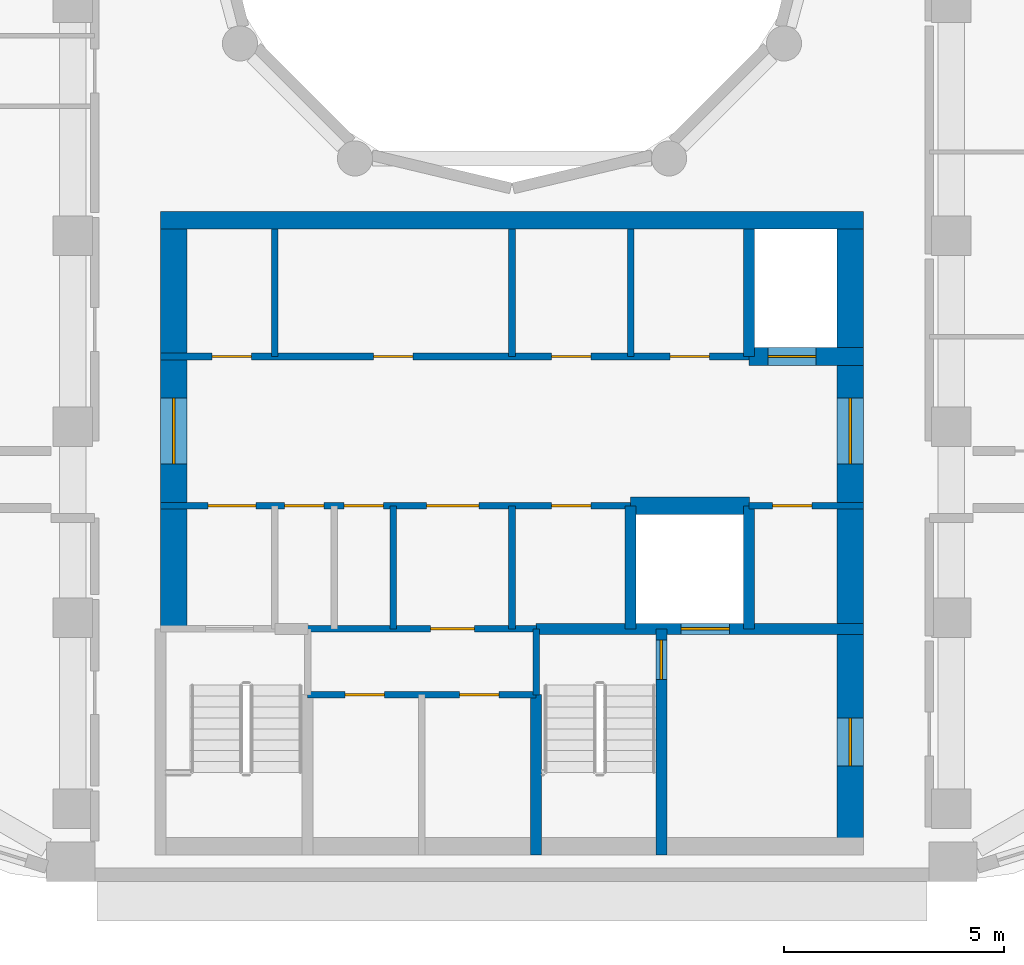
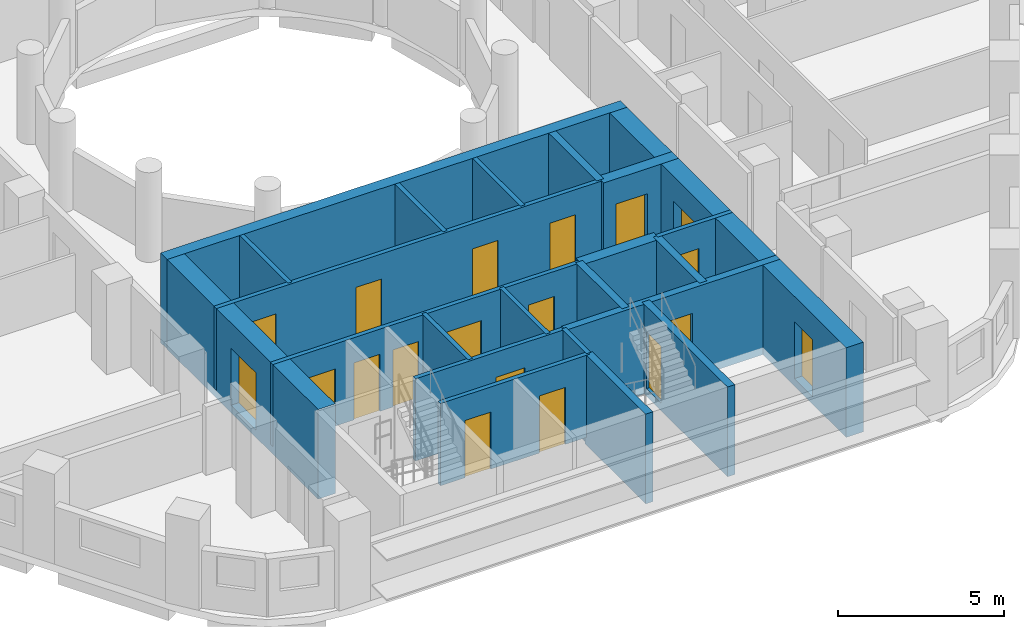
# One storey, part 3 of 13: 22 walls, 19 doors, 19 openings.
"""IFC4 building model written with IfcOpenShell, lengths in metres."""

from ifc_helpers import new_model, si_unit, direction, frame, frame_2d, origin, place, context, subcontext, project, spatial, rectangle, extrude, material, layer, layer_set, type_object, element, fill, save


model = new_model("IFC4")

# Units and contexts
model_context = context("Model", 3, precision=1e-05, world=origin(), true_north=direction((0.0, 1.0)))
body_context = subcontext(model_context, "Body", "Model", "MODEL_VIEW")
ifc_project = project(units=[si_unit("LENGTHUNIT", "METRE"), si_unit("AREAUNIT", "SQUARE_METRE"), si_unit("VOLUMEUNIT", "CUBIC_METRE"), si_unit("PLANEANGLEUNIT", "RADIAN"), si_unit("MASSUNIT", "GRAM", prefix="KILO")], contexts=[model_context])

# Site, building, storey
site_placement = place(None, origin())
site = spatial("IfcSite", under=ifc_project, at=site_placement, CompositionType="ELEMENT")
building_placement = place(site_placement, origin())
building = spatial("IfcBuilding", under=site, at=building_placement, Name="Nakaniwa Court", CompositionType="ELEMENT")
storey_placement = place(building_placement, frame((0.0, 0.0, 269.10009765625)))
storey = spatial("IfcBuildingStorey", under=building, at=storey_placement, Name="L71", CompositionType="ELEMENT", Elevation=269.10009765625)

# Wall
ifc_material_1 = material(Name="Blockwork partition", Category="masonry")
ifc_layer_1 = layer(ifc_material_1, 0.14990234375)
ifc_layer_set_1 = layer_set([ifc_layer_1], Name="Blockwork partition")
wall_type_1 = type_object("IfcWallType", Name="Blockwork partition 150", PredefinedType="PARTITIONING", material=ifc_layer_set_1)
wall_1_placement = place(storey_placement, frame((74.60009765625, 69.300048828125, 0.0), z_axis=(0.0, 0.0, 1.0), x_axis=(0.0, 1.0, 0.0)))
element("IfcWall", 1, at=wall_1_placement, inside=storey, type_object=wall_type_1, Name="Partition PW-031", PredefinedType="PARTITIONING", context=body_context, shape_type="SweptSolid", body=[
    extrude(rectangle(XDim=2.89990234375, YDim=0.14990234375, at=frame_2d((1.449951171875, 0.0))), origin(), (0.0, 0.0, 1.0), 3.02490234375),
])

# Wall, openings, doors
wall_2_placement = place(storey_placement, frame((72.0, 69.300048828125, 0.0), z_axis=(0.0, 0.0, 1.0), x_axis=(1.0, 0.0, 0.0)))
wall_2 = element("IfcWall", 2, at=wall_2_placement, inside=storey, type_object=wall_type_1, Name="Partition PW-032", PredefinedType="PARTITIONING", context=body_context, shape_type="SweptSolid", body=[
    extrude(rectangle(XDim=13.39990234375, YDim=0.14990234375, at=frame_2d((6.699951171875, 0.0))), origin(), (0.0, 0.0, 1.0), 3.02490234375),
])
opening_1_placement = place(wall_2_placement, frame((1.175048828125, 0.0, 0.0)))
opening_1 = element("IfcOpeningElement", 3, at=opening_1_placement, cuts=wall_2, Name="Opening D-05-11", PredefinedType="OPENING", context=body_context, shape_type="SweptSolid", body=[
    extrude(rectangle(XDim=0.89990234375, YDim=2.10009765625, at=frame_2d((0.449951171875, 1.050048828125))), frame((0.0, 0.0849609375, 0.0), z_axis=(0.0, -1.0, 0.0), x_axis=(1.0, 0.0, 0.0)), (0.0, 0.0, 1.0), 0.169921875),
])
opening_2_placement = place(wall_2_placement, frame((4.85009765625, 0.0, 0.0)))
opening_2 = element("IfcOpeningElement", 4, at=opening_2_placement, cuts=wall_2, Name="Opening D-05-12", PredefinedType="OPENING", context=body_context, shape_type="SweptSolid", body=[
    extrude(rectangle(XDim=0.89990234375, YDim=2.10009765625, at=frame_2d((0.449951171875, 1.050048828125))), frame((0.0, 0.0849609375, 0.0), z_axis=(0.0, -1.0, 0.0), x_axis=(1.0, 0.0, 0.0)), (0.0, 0.0, 1.0), 0.169921875),
])
opening_3_placement = place(wall_2_placement, frame((8.89990234375, 0.0, 0.0)))
opening_3 = element("IfcOpeningElement", 5, at=opening_3_placement, cuts=wall_2, Name="Opening D-05-13", PredefinedType="OPENING", context=body_context, shape_type="SweptSolid", body=[
    extrude(rectangle(XDim=0.89990234375, YDim=2.10009765625, at=frame_2d((0.449951171875, 1.050048828125))), frame((0.0, 0.0849609375, 0.0), z_axis=(0.0, -1.0, 0.0), x_axis=(1.0, 0.0, 0.0)), (0.0, 0.0, 1.0), 0.169921875),
])
opening_4_placement = place(wall_2_placement, frame((11.60009765625, 0.0, 0.0)))
opening_4 = element("IfcOpeningElement", 6, at=opening_4_placement, cuts=wall_2, Name="Opening D-05-14", PredefinedType="OPENING", context=body_context, shape_type="SweptSolid", body=[
    extrude(rectangle(XDim=0.89990234375, YDim=2.10009765625, at=frame_2d((0.449951171875, 1.050048828125))), frame((0.0, 0.0849609375, 0.0), z_axis=(0.0, -1.0, 0.0), x_axis=(1.0, 0.0, 0.0)), (0.0, 0.0, 1.0), 0.169921875),
])
ifc_material_2 = material(Name="Fire rated steel door set", Category="steel")
door_type_1 = type_object("IfcDoorType", Name="Service room door 900", OperationType="NOTDEFINED", PredefinedType="DOOR", material=ifc_material_2)
door_1_placement = place(opening_1_placement, origin())
door_1 = element("IfcDoor", 7, at=door_1_placement, inside=storey, type_object=door_type_1, Name="Door D-05-11 L71-016", OperationType="SINGLE_SWING_LEFT", OverallHeight=2.10009765625, OverallWidth=0.89990234375, PredefinedType="DOOR", context=body_context, shape_type="SweptSolid", body=[
    extrude(rectangle(XDim=0.89990234375, YDim=2.10009765625, at=frame_2d((0.449951171875, 1.050048828125))), frame((0.0, 0.02490234375, 0.0), z_axis=(0.0, -1.0, 0.0), x_axis=(1.0, 0.0, 0.0)), (0.0, 0.0, 1.0), 0.050048828125),
])
fill(opening_1, door_1)
door_2_placement = place(opening_2_placement, origin())
door_2 = element("IfcDoor", 8, at=door_2_placement, inside=storey, type_object=door_type_1, Name="Door D-05-12 L71-017", OperationType="SINGLE_SWING_RIGHT", OverallHeight=2.10009765625, OverallWidth=0.89990234375, PredefinedType="DOOR", context=body_context, shape_type="SweptSolid", body=[
    extrude(rectangle(XDim=0.89990234375, YDim=2.10009765625, at=frame_2d((0.449951171875, 1.050048828125))), frame((0.0, 0.02490234375, 0.0), z_axis=(0.0, -1.0, 0.0), x_axis=(1.0, 0.0, 0.0)), (0.0, 0.0, 1.0), 0.050048828125),
])
fill(opening_2, door_2)
door_3_placement = place(opening_3_placement, origin())
door_3 = element("IfcDoor", 9, at=door_3_placement, inside=storey, type_object=door_type_1, Name="Door D-05-13 L71-018", OperationType="SINGLE_SWING_LEFT", OverallHeight=2.10009765625, OverallWidth=0.89990234375, PredefinedType="DOOR", context=body_context, shape_type="SweptSolid", body=[
    extrude(rectangle(XDim=0.89990234375, YDim=2.10009765625, at=frame_2d((0.449951171875, 1.050048828125))), frame((0.0, 0.02490234375, 0.0), z_axis=(0.0, -1.0, 0.0), x_axis=(1.0, 0.0, 0.0)), (0.0, 0.0, 1.0), 0.050048828125),
])
fill(opening_3, door_3)
door_4_placement = place(opening_4_placement, origin())
door_4 = element("IfcDoor", 10, at=door_4_placement, inside=storey, type_object=door_type_1, Name="Door D-05-14 L71-019", OperationType="SINGLE_SWING_RIGHT", OverallHeight=2.10009765625, OverallWidth=0.89990234375, PredefinedType="DOOR", context=body_context, shape_type="SweptSolid", body=[
    extrude(rectangle(XDim=0.89990234375, YDim=2.10009765625, at=frame_2d((0.449951171875, 1.050048828125))), frame((0.0, 0.02490234375, 0.0), z_axis=(0.0, -1.0, 0.0), x_axis=(1.0, 0.0, 0.0)), (0.0, 0.0, 1.0), 0.050048828125),
])
fill(opening_4, door_4)

# Walls
wall_3_placement = place(storey_placement, frame((80.0, 63.10009765625, 0.0), z_axis=(0.0, 0.0, 1.0), x_axis=(0.0, 1.0, 0.0)))
element("IfcWall", 11, at=wall_3_placement, inside=storey, type_object=wall_type_1, Name="Partition PW-038", PredefinedType="PARTITIONING", context=body_context, shape_type="SweptSolid", body=[
    extrude(rectangle(XDim=2.7998046875, YDim=0.14990234375, at=frame_2d((1.39990234375, 0.0))), origin(), (0.0, 0.0, 1.0), 3.02490234375),
])
for number, where, z_axis, x_axis, name in (
    (12, (80.0, 69.300048828125, 0.0), (0.0, 0.0, 1.0), (0.0, 1.0, 0.0), "Partition PW-039"),
    (13, (82.699951171875, 69.300048828125, 0.0), (0.0, 0.0, 1.0), (0.0, 1.0, 0.0), "Partition PW-040"),
):
    element("IfcWall", number, at=place(storey_placement, frame(where, z_axis=z_axis, x_axis=x_axis)), inside=storey, type_object=wall_type_1, Name=name, PredefinedType="PARTITIONING", context=body_context, shape_type="SweptSolid", body=[
        extrude(rectangle(XDim=2.89990234375, YDim=0.14990234375, at=frame_2d((1.449951171875, 0.0))), origin(), (0.0, 0.0, 1.0), 3.02490234375),
    ])

# Wall, openings, doors
wall_4_placement = place(storey_placement, frame((82.702880859375, 65.89990234375, 0.0), z_axis=(0.0, 0.0, 1.0), x_axis=(-1.0, 0.0, 0.0)))
wall_4 = element("IfcWall", 14, at=wall_4_placement, inside=storey, type_object=wall_type_1, Name="Partition PW-041", PredefinedType="PARTITIONING", context=body_context, shape_type="SweptSolid", body=[
    extrude(rectangle(XDim=10.702880859375, YDim=0.14990234375, at=frame_2d((5.3515625, 0.0))), origin(), (0.0, 0.0, 1.0), 3.02490234375),
])
opening_5_placement = place(wall_4_placement, frame((8.528076171875, 0.0, 0.0)))
opening_5 = element("IfcOpeningElement", 15, at=opening_5_placement, cuts=wall_4, Name="Opening D-08-02", PredefinedType="OPENING", context=body_context, shape_type="SweptSolid", body=[
    extrude(rectangle(XDim=1.10009765625, YDim=2.10009765625, at=frame_2d((0.550048828125, 1.050048828125))), frame((0.0, 0.0849609375, 0.0), z_axis=(0.0, -1.0, 0.0), x_axis=(1.0, 0.0, 0.0)), (0.0, 0.0, 1.0), 0.169921875),
])
opening_6_placement = place(wall_4_placement, frame((6.97802734375, 0.0, 0.0)))
opening_6 = element("IfcOpeningElement", 16, at=opening_6_placement, cuts=wall_4, Name="Opening D-05-15", PredefinedType="OPENING", context=body_context, shape_type="SweptSolid", body=[
    extrude(rectangle(XDim=0.89990234375, YDim=2.10009765625, at=frame_2d((0.449951171875, 1.050048828125))), frame((0.0, 0.0849609375, 0.0), z_axis=(0.0, -1.0, 0.0), x_axis=(1.0, 0.0, 0.0)), (0.0, 0.0, 1.0), 0.169921875),
])
opening_7_placement = place(wall_4_placement, frame((5.6279296875, 0.0, 0.0)))
opening_7 = element("IfcOpeningElement", 17, at=opening_7_placement, cuts=wall_4, Name="Opening D-05-16", PredefinedType="OPENING", context=body_context, shape_type="SweptSolid", body=[
    extrude(rectangle(XDim=0.89990234375, YDim=2.10009765625, at=frame_2d((0.449951171875, 1.050048828125))), frame((0.0, 0.0849609375, 0.0), z_axis=(0.0, -1.0, 0.0), x_axis=(1.0, 0.0, 0.0)), (0.0, 0.0, 1.0), 0.169921875),
])
opening_8_placement = place(wall_4_placement, frame((3.452880859375, 0.0, 0.0)))
opening_8 = element("IfcOpeningElement", 18, at=opening_8_placement, cuts=wall_4, Name="Opening D-06-02", PredefinedType="OPENING", context=body_context, shape_type="SweptSolid", body=[
    extrude(rectangle(XDim=1.199951171875, YDim=2.10009765625, at=frame_2d((0.60009765625, 1.050048828125))), frame((0.0, 0.0849609375, 0.0), z_axis=(0.0, -1.0, 0.0), x_axis=(1.0, 0.0, 0.0)), (0.0, 0.0, 1.0), 0.169921875),
])
opening_9_placement = place(wall_4_placement, frame((0.903076171875, 0.0, 0.0)))
opening_9 = element("IfcOpeningElement", 19, at=opening_9_placement, cuts=wall_4, Name="Opening D-05-17", PredefinedType="OPENING", context=body_context, shape_type="SweptSolid", body=[
    extrude(rectangle(XDim=0.89990234375, YDim=2.10009765625, at=frame_2d((0.449951171875, 1.050048828125))), frame((0.0, 0.0849609375, 0.0), z_axis=(0.0, -1.0, 0.0), x_axis=(1.0, 0.0, 0.0)), (0.0, 0.0, 1.0), 0.169921875),
])
ifc_material_3 = material(Name="Fire rated steel double door set", Category="steel")
door_type_2 = type_object("IfcDoorType", Name="Service passage double door 1200", OperationType="NOTDEFINED", PredefinedType="DOOR", material=ifc_material_3)
door_5_placement = place(opening_8_placement, origin())
door_5 = element("IfcDoor", 20, at=door_5_placement, inside=storey, type_object=door_type_2, Name="Door D-06-02 L71-023", OperationType="DOUBLE_DOOR_SINGLE_SWING", OverallHeight=2.10009765625, OverallWidth=1.199951171875, PredefinedType="DOOR", context=body_context, shape_type="SweptSolid", body=[
    extrude(rectangle(XDim=1.199951171875, YDim=2.10009765625, at=frame_2d((0.60009765625, 1.050048828125))), frame((0.0, 0.02490234375, 0.0), z_axis=(0.0, -1.0, 0.0), x_axis=(1.0, 0.0, 0.0)), (0.0, 0.0, 1.0), 0.050048828125),
])
fill(opening_8, door_5)
door_6_placement = place(opening_6_placement, origin())
door_6 = element("IfcDoor", 21, at=door_6_placement, inside=storey, type_object=door_type_1, Name="Door D-05-15 L71-021", OperationType="SINGLE_SWING_RIGHT", OverallHeight=2.10009765625, OverallWidth=0.89990234375, PredefinedType="DOOR", context=body_context, shape_type="SweptSolid", body=[
    extrude(rectangle(XDim=0.89990234375, YDim=2.10009765625, at=frame_2d((0.449951171875, 1.050048828125))), frame((0.0, 0.02490234375, 0.0), z_axis=(0.0, -1.0, 0.0), x_axis=(1.0, 0.0, 0.0)), (0.0, 0.0, 1.0), 0.050048828125),
])
fill(opening_6, door_6)
door_7_placement = place(opening_7_placement, origin())
door_7 = element("IfcDoor", 22, at=door_7_placement, inside=storey, type_object=door_type_1, Name="Door D-05-16 L71-022", OperationType="SINGLE_SWING_LEFT", OverallHeight=2.10009765625, OverallWidth=0.89990234375, PredefinedType="DOOR", context=body_context, shape_type="SweptSolid", body=[
    extrude(rectangle(XDim=0.89990234375, YDim=2.10009765625, at=frame_2d((0.449951171875, 1.050048828125))), frame((0.0, 0.02490234375, 0.0), z_axis=(0.0, -1.0, 0.0), x_axis=(1.0, 0.0, 0.0)), (0.0, 0.0, 1.0), 0.050048828125),
])
fill(opening_7, door_7)
door_8_placement = place(opening_9_placement, origin())
door_8 = element("IfcDoor", 23, at=door_8_placement, inside=storey, type_object=door_type_1, Name="Door D-05-17 L71-024", OperationType="SINGLE_SWING_LEFT", OverallHeight=2.10009765625, OverallWidth=0.89990234375, PredefinedType="DOOR", context=body_context, shape_type="SweptSolid", body=[
    extrude(rectangle(XDim=0.89990234375, YDim=2.10009765625, at=frame_2d((0.449951171875, 1.050048828125))), frame((0.0, 0.02490234375, 0.0), z_axis=(0.0, -1.0, 0.0), x_axis=(1.0, 0.0, 0.0)), (0.0, 0.0, 1.0), 0.050048828125),
])
fill(opening_9, door_8)
door_type_3 = type_object("IfcDoorType", Name="Stair lobby door 1100", OperationType="NOTDEFINED", PredefinedType="DOOR", material=ifc_material_2)
door_9_placement = place(opening_5_placement, origin())
door_9 = element("IfcDoor", 24, at=door_9_placement, inside=storey, type_object=door_type_3, Name="Door D-08-02 L71-020", OperationType="SINGLE_SWING_LEFT", OverallHeight=2.10009765625, OverallWidth=1.10009765625, PredefinedType="DOOR", context=body_context, shape_type="SweptSolid", body=[
    extrude(rectangle(XDim=1.10009765625, YDim=2.10009765625, at=frame_2d((0.550048828125, 1.050048828125))), frame((0.0, 0.02490234375, 0.0), z_axis=(0.0, -1.0, 0.0), x_axis=(1.0, 0.0, 0.0)), (0.0, 0.0, 1.0), 0.050048828125),
])
fill(opening_5, door_9)

# Wall, opening, door
wall_5_placement = place(storey_placement, frame((88.0, 65.89990234375, 0.0), z_axis=(0.0, 0.0, 1.0), x_axis=(-1.0, 0.0, 0.0)))
wall_5 = element("IfcWall", 25, at=wall_5_placement, inside=storey, type_object=wall_type_1, Name="Partition PW-042", PredefinedType="PARTITIONING", context=body_context, shape_type="SweptSolid", body=[
    extrude(rectangle(XDim=2.60302734375, YDim=0.14990234375, at=frame_2d((1.301513671875, 0.0))), origin(), (0.0, 0.0, 1.0), 3.02490234375),
])
opening_10_placement = place(wall_5_placement, frame((1.175048828125, 0.0, 0.0)))
opening_10 = element("IfcOpeningElement", 26, at=opening_10_placement, cuts=wall_5, Name="Opening D-05-18", PredefinedType="OPENING", context=body_context, shape_type="SweptSolid", body=[
    extrude(rectangle(XDim=0.89990234375, YDim=2.10009765625, at=frame_2d((0.449951171875, 1.050048828125))), frame((0.0, 0.0849609375, 0.0), z_axis=(0.0, -1.0, 0.0), x_axis=(1.0, 0.0, 0.0)), (0.0, 0.0, 1.0), 0.169921875),
])
door_10_placement = place(opening_10_placement, origin())
door_10 = element("IfcDoor", 27, at=door_10_placement, inside=storey, type_object=door_type_1, Name="Door D-05-18 L71-025", OperationType="SINGLE_SWING_RIGHT", OverallHeight=2.10009765625, OverallWidth=0.89990234375, PredefinedType="DOOR", context=body_context, shape_type="SweptSolid", body=[
    extrude(rectangle(XDim=0.89990234375, YDim=2.10009765625, at=frame_2d((0.449951171875, 1.050048828125))), frame((0.0, 0.02490234375, 0.0), z_axis=(0.0, -1.0, 0.0), x_axis=(1.0, 0.0, 0.0)), (0.0, 0.0, 1.0), 0.050048828125),
])
fill(opening_10, door_10)

wall_6_placement = place(storey_placement, frame((80.552978515625, 63.10009765625, 0.0), z_axis=(0.0, 0.0, 1.0), x_axis=(-1.0, 0.0, 0.0)))
wall_6 = element("IfcWall", 28, at=wall_6_placement, inside=storey, type_object=wall_type_1, Name="Partition PW-048", PredefinedType="PARTITIONING", context=body_context, shape_type="SweptSolid", body=[
    extrude(rectangle(XDim=5.2060546875, YDim=0.14990234375, at=frame_2d((2.60302734375, 0.0))), origin(), (0.0, 0.0, 1.0), 3.02490234375),
])
opening_11_placement = place(wall_6_placement, frame((1.403076171875, 0.0, 0.0)))
opening_11 = element("IfcOpeningElement", 29, at=opening_11_placement, cuts=wall_6, Name="Opening D-23-02", PredefinedType="OPENING", context=body_context, shape_type="SweptSolid", body=[
    extrude(rectangle(XDim=1.0, YDim=2.10009765625, at=frame_2d((0.5, 1.050048828125))), frame((0.0, 0.0849609375, 0.0), z_axis=(0.0, -1.0, 0.0), x_axis=(1.0, 0.0, 0.0)), (0.0, 0.0, 1.0), 0.169921875),
])
door_type_4 = type_object("IfcDoorType", Name="Service room door 1000", OperationType="NOTDEFINED", PredefinedType="DOOR", material=ifc_material_2)
door_11_placement = place(opening_11_placement, origin())
door_11 = element("IfcDoor", 30, at=door_11_placement, inside=storey, type_object=door_type_4, Name="Door D-23-02 L71-026", OperationType="SINGLE_SWING_LEFT", OverallHeight=2.10009765625, OverallWidth=1.0, PredefinedType="DOOR", context=body_context, shape_type="SweptSolid", body=[
    extrude(rectangle(XDim=1.0, YDim=2.10009765625, at=frame_2d((0.5, 1.050048828125))), frame((0.0, 0.02490234375, 0.0), z_axis=(0.0, -1.0, 0.0), x_axis=(1.0, 0.0, 0.0)), (0.0, 0.0, 1.0), 0.050048828125),
])
fill(opening_11, door_11)

# Wall
wall_7_placement = place(storey_placement, frame((77.300048828125, 63.10009765625, 0.0), z_axis=(0.0, 0.0, 1.0), x_axis=(0.0, 1.0, 0.0)))
element("IfcWall", 31, at=wall_7_placement, inside=storey, type_object=wall_type_1, Name="Partition PW-049", PredefinedType="PARTITIONING", context=body_context, shape_type="SweptSolid", body=[
    extrude(rectangle(XDim=2.7998046875, YDim=0.14990234375, at=frame_2d((1.39990234375, 0.0))), origin(), (0.0, 0.0, 1.0), 3.02490234375),
])

# Wall, openings, doors
wall_8_placement = place(storey_placement, frame((80.550048828125, 61.60009765625, 0.0), z_axis=(0.0, 0.0, 1.0), x_axis=(-1.0, 0.0, 0.0)))
wall_8 = element("IfcWall", 32, at=wall_8_placement, inside=storey, type_object=wall_type_1, Name="Partition PW-057", PredefinedType="PARTITIONING", context=body_context, shape_type="SweptSolid", body=[
    extrude(rectangle(XDim=5.199951171875, YDim=0.14990234375, at=frame_2d((2.60009765625, 0.0))), origin(), (0.0, 0.0, 1.0), 3.02490234375),
])
opening_12_placement = place(wall_8_placement, frame((3.449951171875, 0.0, 0.0)))
opening_12 = element("IfcOpeningElement", 33, at=opening_12_placement, cuts=wall_8, Name="Opening D-05-19", PredefinedType="OPENING", context=body_context, shape_type="SweptSolid", body=[
    extrude(rectangle(XDim=0.89990234375, YDim=2.10009765625, at=frame_2d((0.449951171875, 1.050048828125))), frame((0.0, 0.0849609375, 0.0), z_axis=(0.0, -1.0, 0.0), x_axis=(1.0, 0.0, 0.0)), (0.0, 0.0, 1.0), 0.169921875),
])
opening_13_placement = place(wall_8_placement, frame((0.85009765625, 0.0, 0.0)))
opening_13 = element("IfcOpeningElement", 34, at=opening_13_placement, cuts=wall_8, Name="Opening D-05-20", PredefinedType="OPENING", context=body_context, shape_type="SweptSolid", body=[
    extrude(rectangle(XDim=0.89990234375, YDim=2.10009765625, at=frame_2d((0.449951171875, 1.050048828125))), frame((0.0, 0.0849609375, 0.0), z_axis=(0.0, -1.0, 0.0), x_axis=(1.0, 0.0, 0.0)), (0.0, 0.0, 1.0), 0.169921875),
])
door_12_placement = place(opening_12_placement, origin())
door_12 = element("IfcDoor", 35, at=door_12_placement, inside=storey, type_object=door_type_1, Name="Door D-05-19 L71-027", OperationType="SINGLE_SWING_RIGHT", OverallHeight=2.10009765625, OverallWidth=0.89990234375, PredefinedType="DOOR", context=body_context, shape_type="SweptSolid", body=[
    extrude(rectangle(XDim=0.89990234375, YDim=2.10009765625, at=frame_2d((0.449951171875, 1.050048828125))), frame((0.0, 0.02490234375, 0.0), z_axis=(0.0, -1.0, 0.0), x_axis=(1.0, 0.0, 0.0)), (0.0, 0.0, 1.0), 0.050048828125),
])
fill(opening_12, door_12)
door_13_placement = place(opening_13_placement, origin())
door_13 = element("IfcDoor", 36, at=door_13_placement, inside=storey, type_object=door_type_1, Name="Door D-05-20 L71-028", OperationType="SINGLE_SWING_LEFT", OverallHeight=2.10009765625, OverallWidth=0.89990234375, PredefinedType="DOOR", context=body_context, shape_type="SweptSolid", body=[
    extrude(rectangle(XDim=0.89990234375, YDim=2.10009765625, at=frame_2d((0.449951171875, 1.050048828125))), frame((0.0, 0.02490234375, 0.0), z_axis=(0.0, -1.0, 0.0), x_axis=(1.0, 0.0, 0.0)), (0.0, 0.0, 1.0), 0.050048828125),
])
fill(opening_13, door_13)

# Wall, opening, door
ifc_material_4 = material(Name="Concrete C80/100", Category="concrete")
ifc_layer_2 = layer(ifc_material_4, 0.60009765625)
ifc_layer_set_2 = layer_set([ifc_layer_2], Name="Concrete C80/100")
wall_type_2 = type_object("IfcWallType", Name="Concrete core side wall 600 C80", PredefinedType="SHEAR", material=ifc_layer_set_2)
wall_9_placement = place(storey_placement, frame((72.300048828125, 63.10009765625, -0.275146484375), z_axis=(0.0, 0.0, 1.0), x_axis=(0.0, 1.0, 0.0)))
wall_9 = element("IfcWall", 37, at=wall_9_placement, inside=storey, type_object=wall_type_2, Name="Core wall SW-33", PredefinedType="SHEAR", context=body_context, shape_type="SweptSolid", body=[
    extrude(rectangle(XDim=9.099853515625, YDim=0.60009765625, at=frame_2d((4.5498046875, 0.0))), origin(), (0.0, 0.0, 1.0), 3.300048828125),
])
opening_14_placement = place(wall_9_placement, frame((3.75, 0.0, 0.27490234375)))
opening_14 = element("IfcOpeningElement", 38, at=opening_14_placement, cuts=wall_9, Name="Opening D-07-04", PredefinedType="OPENING", context=body_context, shape_type="SweptSolid", body=[
    extrude(rectangle(XDim=1.5, YDim=2.10009765625, at=frame_2d((0.75, 1.050048828125))), frame((0.0, 0.31005859375, 0.0), z_axis=(0.0, -1.0, 0.0), x_axis=(1.0, 0.0, 0.0)), (0.0, 0.0, 1.0), 0.6201171875),
])
ifc_material_5 = material(Name="Glazed fire rated steel double door set", Category="steel")
door_type_5 = type_object("IfcDoorType", Name="Lobby double door 1500", OperationType="NOTDEFINED", PredefinedType="DOOR", material=ifc_material_5)
door_14_placement = place(opening_14_placement, origin())
door_14 = element("IfcDoor", 39, at=door_14_placement, inside=storey, type_object=door_type_5, Name="Door D-07-04 L71-063", OperationType="DOUBLE_DOOR_SINGLE_SWING", OverallHeight=2.10009765625, OverallWidth=1.5, PredefinedType="DOOR", context=body_context, shape_type="SweptSolid", body=[
    extrude(rectangle(XDim=1.5, YDim=2.10009765625, at=frame_2d((0.75, 1.050048828125))), frame((0.0, 0.02490234375, 0.0), z_axis=(0.0, -1.0, 0.0), x_axis=(1.0, 0.0, 0.0)), (0.0, 0.0, 1.0), 0.050048828125),
])
fill(opening_14, door_14)

# Wall, openings, doors
wall_10_placement = place(storey_placement, frame((87.699951171875, 72.199951171875, -0.275146484375), z_axis=(0.0, 0.0, 1.0), x_axis=(0.0, -1.0, 0.0)))
wall_10 = element("IfcWall", 40, at=wall_10_placement, inside=storey, type_object=wall_type_2, Name="Core wall SW-37", PredefinedType="SHEAR", context=body_context, shape_type="SweptSolid", body=[
    extrude(rectangle(XDim=14.25, YDim=0.60009765625, at=frame_2d((7.125, 0.0))), origin(), (0.0, 0.0, 1.0), 3.300048828125),
])
opening_15_placement = place(wall_10_placement, frame((3.85009765625, 0.0, 0.27490234375)))
opening_15 = element("IfcOpeningElement", 41, at=opening_15_placement, cuts=wall_10, Name="Opening D-07-03", PredefinedType="OPENING", context=body_context, shape_type="SweptSolid", body=[
    extrude(rectangle(XDim=1.5, YDim=2.10009765625, at=frame_2d((0.75, 1.050048828125))), frame((0.0, 0.31005859375, 0.0), z_axis=(0.0, -1.0, 0.0), x_axis=(1.0, 0.0, 0.0)), (0.0, 0.0, 1.0), 0.6201171875),
])
opening_16_placement = place(wall_10_placement, frame((11.125, 0.0, 0.27490234375)))
opening_16 = element("IfcOpeningElement", 42, at=opening_16_placement, cuts=wall_10, Name="Opening D-10-02", PredefinedType="OPENING", context=body_context, shape_type="SweptSolid", body=[
    extrude(rectangle(XDim=1.10009765625, YDim=2.10009765625, at=frame_2d((0.550048828125, 1.050048828125))), frame((0.0, 0.31005859375, 0.0), z_axis=(0.0, -1.0, 0.0), x_axis=(1.0, 0.0, 0.0)), (0.0, 0.0, 1.0), 0.6201171875),
])
door_type_6 = type_object("IfcDoorType", Name="Firefighting lobby door 1100", OperationType="NOTDEFINED", PredefinedType="DOOR", material=ifc_material_2)
door_15_placement = place(opening_16_placement, origin())
door_15 = element("IfcDoor", 43, at=door_15_placement, inside=storey, type_object=door_type_6, Name="Door D-10-02 L71-064", OperationType="SINGLE_SWING_LEFT", OverallHeight=2.10009765625, OverallWidth=1.10009765625, PredefinedType="DOOR", context=body_context, shape_type="SweptSolid", body=[
    extrude(rectangle(XDim=1.10009765625, YDim=2.10009765625, at=frame_2d((0.550048828125, 1.050048828125))), frame((0.0, 0.02490234375, 0.0), z_axis=(0.0, -1.0, 0.0), x_axis=(1.0, 0.0, 0.0)), (0.0, 0.0, 1.0), 0.050048828125),
])
fill(opening_16, door_15)
door_16_placement = place(opening_15_placement, origin())
door_16 = element("IfcDoor", 44, at=door_16_placement, inside=storey, type_object=door_type_5, Name="Door D-07-03 L71-062", OperationType="DOUBLE_DOOR_SINGLE_SWING", OverallHeight=2.10009765625, OverallWidth=1.5, PredefinedType="DOOR", context=body_context, shape_type="SweptSolid", body=[
    extrude(rectangle(XDim=1.5, YDim=2.10009765625, at=frame_2d((0.75, 1.050048828125))), frame((0.0, 0.02490234375, 0.0), z_axis=(0.0, -1.0, 0.0), x_axis=(1.0, 0.0, 0.0)), (0.0, 0.0, 1.0), 0.050048828125),
])
fill(opening_15, door_16)

# Wall, opening, door
ifc_layer_3 = layer(ifc_material_4, 0.39990234375)
ifc_layer_set_3 = layer_set([ifc_layer_3], Name="Concrete C80/100")
wall_type_3 = type_object("IfcWallType", Name="Concrete core spine wall 400 C80", PredefinedType="SHEAR", material=ifc_layer_set_3)
wall_11_placement = place(storey_placement, frame((85.39990234375, 69.300048828125, -0.275146484375), z_axis=(0.0, 0.0, 1.0), x_axis=(1.0, 0.0, 0.0)))
wall_11 = element("IfcWall", 45, at=wall_11_placement, inside=storey, type_object=wall_type_3, Name="Core wall SW-36", PredefinedType="SHEAR", context=body_context, shape_type="SweptSolid", body=[
    extrude(rectangle(XDim=2.60009765625, YDim=0.39990234375, at=frame_2d((1.300048828125, 0.0))), origin(), (0.0, 0.0, 1.0), 3.300048828125),
])
opening_17_placement = place(wall_11_placement, frame((0.425048828125, 0.0, 0.27490234375)))
opening_17 = element("IfcOpeningElement", 46, at=opening_17_placement, cuts=wall_11, Name="Opening LD03", PredefinedType="OPENING", context=body_context, shape_type="SweptSolid", body=[
    extrude(rectangle(XDim=1.10009765625, YDim=2.10009765625, at=frame_2d((0.550048828125, 1.050048828125))), frame((0.0, 0.2099609375, 0.0), z_axis=(0.0, -1.0, 0.0), x_axis=(1.0, 0.0, 0.0)), (0.0, 0.0, 1.0), 0.419921875),
])
ifc_material_6 = material(Name="Stainless steel sliding lift landing door", Category="steel")
door_type_7 = type_object("IfcDoorType", Name="Lift landing door 1100", OperationType="NOTDEFINED", PredefinedType="DOOR", material=ifc_material_6)
door_17_placement = place(opening_17_placement, origin())
door_17 = element("IfcDoor", 47, at=door_17_placement, inside=storey, type_object=door_type_7, Name="Lift landing door LD03 L71-003", OperationType="SLIDING_TO_LEFT", OverallHeight=2.10009765625, OverallWidth=1.10009765625, PredefinedType="DOOR", context=body_context, shape_type="SweptSolid", body=[
    extrude(rectangle(XDim=1.10009765625, YDim=2.10009765625, at=frame_2d((0.550048828125, 1.050048828125))), frame((0.0, 0.02490234375, 0.0), z_axis=(0.0, -1.0, 0.0), x_axis=(1.0, 0.0, 0.0)), (0.0, 0.0, 1.0), 0.050048828125),
])
fill(opening_17, door_17)

# Walls
wall_12_placement = place(storey_placement, frame((82.697021484375, 65.89990234375, -0.275146484375), z_axis=(0.0, 0.0, 1.0), x_axis=(1.0, 0.0, 0.0)))
element("IfcWall", 48, at=wall_12_placement, inside=storey, type_object=wall_type_3, Name="Core wall SW-43", PredefinedType="SHEAR", context=body_context, shape_type="SweptSolid", body=[
    extrude(rectangle(XDim=2.7060546875, YDim=0.39990234375, at=frame_2d((1.35302734375, 0.0))), origin(), (0.0, 0.0, 1.0), 3.300048828125),
])
ifc_layer_4 = layer(ifc_material_4, 0.14990234375)
ifc_layer_set_4 = layer_set([ifc_layer_4], Name="Concrete C80/100")
wall_type_4 = type_object("IfcWallType", Name="Concrete core wall 150 C80", PredefinedType="SHEAR", material=ifc_layer_set_4)
wall_13_placement = place(storey_placement, frame((80.550048828125, 61.596923828125, -0.275146484375), z_axis=(0.0, 0.0, 1.0), x_axis=(0.0, 1.0, 0.0)))
element("IfcWall", 49, at=wall_13_placement, inside=storey, type_object=wall_type_4, Name="Core wall SW-55", PredefinedType="SHEAR", context=body_context, shape_type="SweptSolid", body=[
    extrude(rectangle(XDim=1.503173828125, YDim=0.14990234375, at=frame_2d((0.75146484375, 0.0))), origin(), (0.0, 0.0, 1.0), 3.300048828125),
])
ifc_layer_5 = layer(ifc_material_4, 0.39990234375)
ifc_layer_set_5 = layer_set([ifc_layer_5], Name="Concrete C80/100")
wall_type_5 = type_object("IfcWallType", Name="Concrete core well wall 400 C80", PredefinedType="SHEAR", material=ifc_layer_set_5)
wall_14_placement = place(storey_placement, frame((72.00390625, 72.39990234375, -0.275146484375), z_axis=(0.0, 0.0, 1.0), x_axis=(1.0, 0.0, 0.0)))
element("IfcWall", 50, at=wall_14_placement, inside=storey, type_object=wall_type_5, Name="Core wall SW-124", PredefinedType="SHEAR", context=body_context, shape_type="SweptSolid", body=[
    extrude(rectangle(XDim=15.9921875, YDim=0.39990234375, at=frame_2d((7.99609375, 0.0))), origin(), (0.0, 0.0, 1.0), 3.300048828125),
])
ifc_layer_6 = layer(ifc_material_4, 0.25)
ifc_layer_set_6 = layer_set([ifc_layer_6], Name="Concrete C80/100")
wall_type_6 = type_object("IfcWallType", Name="Concrete shaft wall 250 C80", PredefinedType="SHEAR", material=ifc_layer_set_6)
wall_15_placement = place(storey_placement, frame((85.39990234375, 63.10009765625, -0.275146484375), z_axis=(0.0, 0.0, 1.0), x_axis=(0.0, 1.0, 0.0)))
element("IfcWall", 51, at=wall_15_placement, inside=storey, type_object=wall_type_6, Name="Core wall SW-34", PredefinedType="SHEAR", context=body_context, shape_type="SweptSolid", body=[
    extrude(rectangle(XDim=2.7998046875, YDim=0.25, at=frame_2d((1.39990234375, 0.0))), origin(), (0.0, 0.0, 1.0), 3.300048828125),
])
wall_16_placement = place(storey_placement, frame((85.39990234375, 69.300048828125, -0.275146484375), z_axis=(0.0, 0.0, 1.0), x_axis=(0.0, 1.0, 0.0)))
element("IfcWall", 52, at=wall_16_placement, inside=storey, type_object=wall_type_6, Name="Core wall SW-35", PredefinedType="SHEAR", context=body_context, shape_type="SweptSolid", body=[
    extrude(rectangle(XDim=2.89990234375, YDim=0.25, at=frame_2d((1.449951171875, 0.0))), origin(), (0.0, 0.0, 1.0), 3.300048828125),
])

# Wall, opening, door
wall_17_placement = place(storey_placement, frame((80.547119140625, 63.10009765625, -0.275146484375), z_axis=(0.0, 0.0, 1.0), x_axis=(1.0, 0.0, 0.0)))
wall_17 = element("IfcWall", 53, at=wall_17_placement, inside=storey, type_object=wall_type_6, Name="Core wall SW-47", PredefinedType="SHEAR", context=body_context, shape_type="SweptSolid", body=[
    extrude(rectangle(XDim=7.452880859375, YDim=0.25, at=frame_2d((3.7265625, 0.0))), origin(), (0.0, 0.0, 1.0), 3.300048828125),
])
opening_18_placement = place(wall_17_placement, frame((3.302001953125, 0.0, 0.27490234375)))
opening_18 = element("IfcOpeningElement", 54, at=opening_18_placement, cuts=wall_17, Name="Opening LD04", PredefinedType="OPENING", context=body_context, shape_type="SweptSolid", body=[
    extrude(rectangle(XDim=1.10009765625, YDim=2.10009765625, at=frame_2d((0.550048828125, 1.050048828125))), frame((0.0, 0.135009765625, 0.0), z_axis=(0.0, -1.0, 0.0), x_axis=(1.0, 0.0, 0.0)), (0.0, 0.0, 1.0), 0.27001953125),
])
door_18_placement = place(opening_18_placement, origin())
door_18 = element("IfcDoor", 55, at=door_18_placement, inside=storey, type_object=door_type_7, Name="Lift landing door LD04 L71-004", OperationType="SLIDING_TO_LEFT", OverallHeight=2.10009765625, OverallWidth=1.10009765625, PredefinedType="DOOR", context=body_context, shape_type="SweptSolid", body=[
    extrude(rectangle(XDim=1.10009765625, YDim=2.10009765625, at=frame_2d((0.550048828125, 1.050048828125))), frame((0.0, 0.02490234375, 0.0), z_axis=(0.0, -1.0, 0.0), x_axis=(1.0, 0.0, 0.0)), (0.0, 0.0, 1.0), 0.050048828125),
])
fill(opening_18, door_18)

# Wall
wall_18_placement = place(storey_placement, frame((82.699951171875, 63.10009765625, -0.275146484375), z_axis=(0.0, 0.0, 1.0), x_axis=(0.0, 1.0, 0.0)))
element("IfcWall", 56, at=wall_18_placement, inside=storey, type_object=wall_type_6, Name="Core wall SW-50", PredefinedType="SHEAR", context=body_context, shape_type="SweptSolid", body=[
    extrude(rectangle(XDim=2.7998046875, YDim=0.25, at=frame_2d((1.39990234375, 0.0))), origin(), (0.0, 0.0, 1.0), 3.300048828125),
])

# Wall, opening, door
wall_19_placement = place(storey_placement, frame((83.39990234375, 63.10009765625, -0.275146484375), z_axis=(0.0, 0.0, 1.0), x_axis=(0.0, -1.0, 0.0)))
wall_19 = element("IfcWall", 57, at=wall_19_placement, inside=storey, type_object=wall_type_6, Name="Core wall SW-54", PredefinedType="SHEAR", context=body_context, shape_type="SweptSolid", body=[
    extrude(rectangle(XDim=5.150146484375, YDim=0.25, at=frame_2d((2.5751953125, 0.0))), origin(), (0.0, 0.0, 1.0), 3.300048828125),
])
opening_19_placement = place(wall_19_placement, frame((0.25, 0.0, 0.27490234375)))
opening_19 = element("IfcOpeningElement", 58, at=opening_19_placement, cuts=wall_19, Name="Opening D-11-02", PredefinedType="OPENING", context=body_context, shape_type="SweptSolid", body=[
    extrude(rectangle(XDim=0.89990234375, YDim=2.10009765625, at=frame_2d((0.449951171875, 1.050048828125))), frame((0.0, 0.135009765625, 0.0), z_axis=(0.0, -1.0, 0.0), x_axis=(1.0, 0.0, 0.0)), (0.0, 0.0, 1.0), 0.27001953125),
])
door_type_8 = type_object("IfcDoorType", Name="Stair door 900", OperationType="NOTDEFINED", PredefinedType="DOOR", material=ifc_material_2)
door_19_placement = place(opening_19_placement, origin())
door_19 = element("IfcDoor", 59, at=door_19_placement, inside=storey, type_object=door_type_8, Name="Door D-11-02 L71-030", OperationType="SINGLE_SWING_RIGHT", OverallHeight=2.10009765625, OverallWidth=0.89990234375, PredefinedType="DOOR", context=body_context, shape_type="SweptSolid", body=[
    extrude(rectangle(XDim=0.89990234375, YDim=2.10009765625, at=frame_2d((0.449951171875, 1.050048828125))), frame((0.0, 0.02490234375, 0.0), z_axis=(0.0, -1.0, 0.0), x_axis=(1.0, 0.0, 0.0)), (0.0, 0.0, 1.0), 0.050048828125),
])
fill(opening_19, door_19)

# Wall
wall_20_placement = place(storey_placement, frame((80.550048828125, 57.949951171875, -0.275146484375), z_axis=(0.0, 0.0, 1.0), x_axis=(0.0, 1.0, 0.0)))
element("IfcWall", 60, at=wall_20_placement, inside=storey, type_object=wall_type_6, Name="Core wall SW-56", PredefinedType="SHEAR", context=body_context, shape_type="SweptSolid", body=[
    extrude(rectangle(XDim=3.653076171875, YDim=0.25, at=frame_2d((1.82666015625, 0.0))), origin(), (0.0, 0.0, 1.0), 3.300048828125),
])

save(model, "model.ifc")
